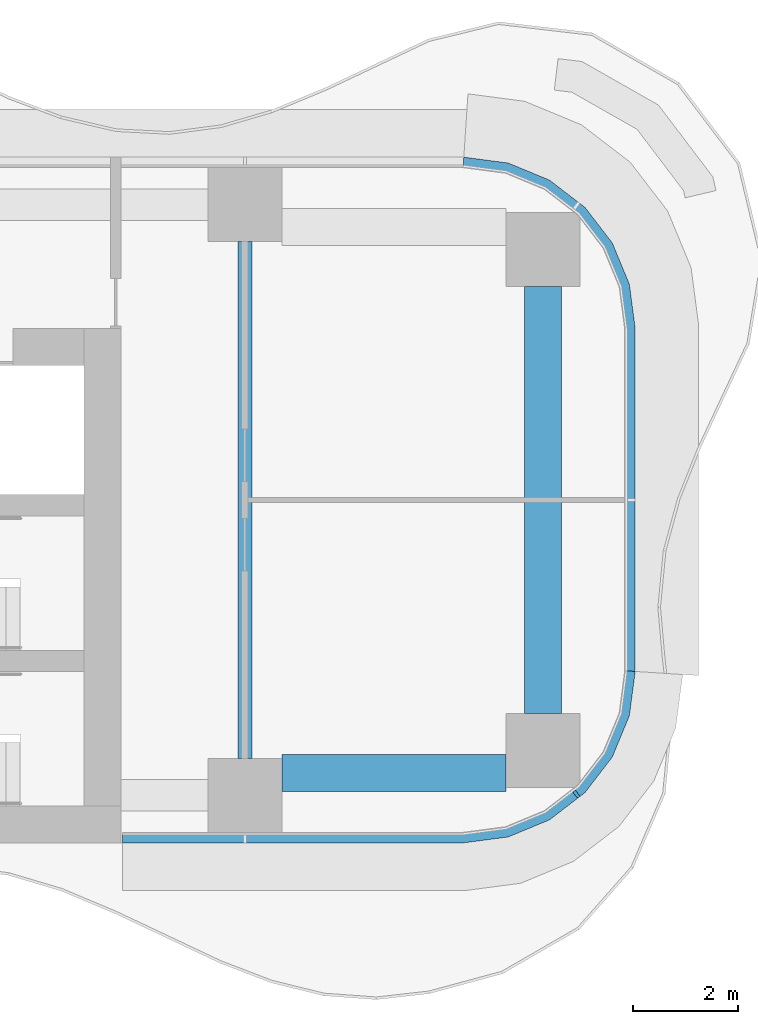
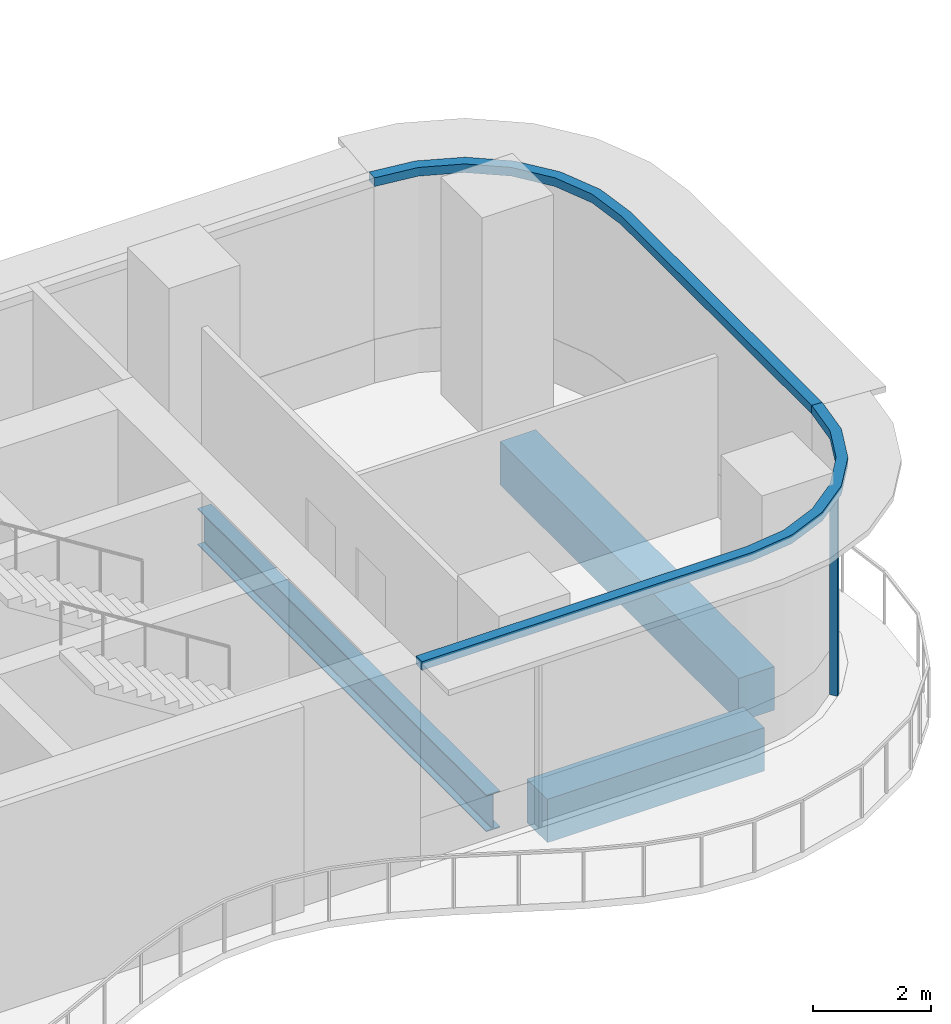
# One storey, part 7 of 22: 3 beams, 3 members, 2 elements without a shape of their own.
"""IFC4 building model written with IfcOpenShell, lengths in metres."""

from ifc_helpers import new_model, si_unit, direction, frame, origin, origin_2d, place, context, subcontext, project, spatial, polyline, rectangle, i_section, outline, extrude, source, transform, mapped, material, layer, layer_set, material_profile, profile_set, type_object, element, aggregate, save


model = new_model("IFC4")

# Units and contexts
model_context = context("Model", 3, precision=1e-05, world=origin(), true_north=direction((0.0, 1.0)))
body_context = subcontext(model_context, "Body", "Model", "MODEL_VIEW")
ifc_project = project(units=[si_unit("LENGTHUNIT", "METRE"), si_unit("AREAUNIT", "SQUARE_METRE"), si_unit("VOLUMEUNIT", "CUBIC_METRE"), si_unit("PLANEANGLEUNIT", "RADIAN"), si_unit("MASSUNIT", "GRAM", prefix="KILO")], contexts=[model_context])

# Site, building, storey
site_placement = place(None, origin())
site = spatial("IfcSite", under=ifc_project, at=site_placement, CompositionType="ELEMENT")
building_placement = place(site_placement, origin())
building = spatial("IfcBuilding", under=site, at=building_placement, Name="Trellis Farm Tower", CompositionType="ELEMENT")
storey_placement = place(building_placement, frame((0.0, 0.0, 65.5)))
storey = spatial("IfcBuildingStorey", under=building, at=storey_placement, Name="L13", CompositionType="ELEMENT", Elevation=65.5)

# Beams
ifc_material_1 = material(Name="Steel S355", Category="steel")
ifc_material_profile_1 = material_profile(ifc_material_1, i_section(OverallWidth=0.2666015625, OverallDepth=0.76220703125, WebThickness=0.014404296875, FlangeThickness=0.021484375, FilletRadius=0.0166015625, at=origin_2d()), Name="UB 762x267x173")
ifc_profile_set_1 = profile_set([ifc_material_profile_1], Name="Steel S355")
beam_type_1 = type_object("IfcBeamType", Name="UB 762x267x173", PredefinedType="BEAM", material=ifc_profile_set_1)
shared_shape_1 = source(origin(), body_context, "Body", "SweptSolid", [
    extrude(i_section(OverallWidth=0.2666015625, OverallDepth=0.76220703125, WebThickness=0.014404296875, FlangeThickness=0.021484375, FilletRadius=0.0166015625, at=origin_2d()), origin(), (0.0, 0.0, 1.0), 9.7998046875),
])
beam_1_placement = place(storey_placement, frame((25.10009765625, -4.89990234375, -0.631103515625), z_axis=(0.0, 1.0, 0.0), x_axis=(-1.0, 0.0, 0.0)))
element("IfcBeam", 1, at=beam_1_placement, inside=storey, type_object=beam_type_1, Name="Girder", PredefinedType="BEAM", context=body_context, shape_type="MappedRepresentation", body=[
    mapped(shared_shape_1, transform((0.0, 0.0, 0.0))),
])
ifc_material_2 = material(Name="Concrete C60/75", Category="concrete")
ifc_material_profile_2 = material_profile(ifc_material_2, rectangle(XDim=0.699951171875, YDim=0.89990234375, at=origin_2d()), Name="RC spandrel beam 700x900 C60/75")
ifc_profile_set_2 = profile_set([ifc_material_profile_2], Name="Concrete C60/75")
beam_type_2 = type_object("IfcBeamType", Name="RC spandrel beam 700x900 C60/75", PredefinedType="SPANDREL", material=ifc_profile_set_2)
shared_shape_2 = source(origin(), body_context, "Body", "SweptSolid", [
    extrude(rectangle(XDim=0.699951171875, YDim=0.89990234375, at=origin_2d()), origin(), (0.0, 0.0, 1.0), 4.25),
])
beam_2_placement = place(storey_placement, frame((25.800048828125, -5.175048828125, -0.699951171875), z_axis=(1.0, 0.0, 0.0), x_axis=(0.0, 1.0, 0.0)))
element("IfcBeam", 2, at=beam_2_placement, inside=storey, type_object=beam_type_2, Name="Girder", PredefinedType="SPANDREL", context=body_context, shape_type="MappedRepresentation", body=[
    mapped(shared_shape_2, transform((0.0, 0.0, 0.0))),
])
shared_shape_3 = source(origin(), body_context, "Body", "SweptSolid", [
    extrude(rectangle(XDim=0.699951171875, YDim=0.89990234375, at=origin_2d()), origin(), (0.0, 0.0, 1.0), 8.10009765625),
])
beam_3_placement = place(storey_placement, frame((30.75, -4.050048828125, -0.699951171875), z_axis=(0.0, 1.0, 0.0), x_axis=(-1.0, 0.0, 0.0)))
element("IfcBeam", 3, at=beam_3_placement, inside=storey, type_object=beam_type_2, Name="Girder", PredefinedType="SPANDREL", context=body_context, shape_type="MappedRepresentation", body=[
    mapped(shared_shape_3, transform((0.0, 0.0, 0.0))),
])

# Curtain wall, members
ifc_material_3 = material(Name="Aluminium and glass curtain wall", Category="aluminium")
ifc_layer_1 = layer(ifc_material_3, 0.18994140625)
ifc_layer_set_1 = layer_set([ifc_layer_1], Name="RIBBON CURTAIN WALL CW1")
curtain_wall_type = type_object("IfcCurtainWallType", Name="RIBBON CURTAIN WALL CW1", PredefinedType="NOTDEFINED", material=ifc_layer_set_1)
placement_1 = place(storey_placement, origin())
curtain_wall_1 = element("IfcCurtainWall", 4, at=placement_1, inside=storey, type_object=curtain_wall_type, Name="CW1 006", PredefinedType="NOTDEFINED")
ifc_material_4 = material(Name="Aluminium extrusion 6063-T6", Category="aluminium")
ifc_material_profile_3 = material_profile(ifc_material_4, rectangle(XDim=0.06005859375, YDim=0.14990234375, at=origin_2d()), Name="MULLION 60x150")
ifc_profile_set_3 = profile_set([ifc_material_profile_3], Name="Aluminium extrusion 6063-T6")
member_type_1 = type_object("IfcMemberType", Name="CW1 MULLION 60x150", PredefinedType="MULLION", material=ifc_profile_set_3)
shared_shape_4 = source(origin(), body_context, "Body", "SweptSolid", [
    extrude(rectangle(XDim=0.06005859375, YDim=0.14990234375, at=origin_2d()), origin(), (0.0, 0.0, 1.0), 4.070068359375),
])
member_1_placement = place(storey_placement, frame((31.385498046875, -5.578369140625, 0.0), z_axis=(0.0, 0.0, 1.0), x_axis=(0.793353340291, 0.608761429009, 0.0)))
member_1 = element("IfcMember", 5, at=member_1_placement, type_object=member_type_1, Name="MU1 006-02", PredefinedType="MULLION", context=body_context, shape_type="MappedRepresentation", body=[
    mapped(shared_shape_4, transform((0.0, 0.0, 0.0))),
])
ifc_layer_2 = layer(ifc_material_4, 0.199951171875)
ifc_layer_set_2 = layer_set([ifc_layer_2], Name="Aluminium extrusion 6063-T6")
member_type_2 = type_object("IfcMemberType", Name="CW1 TRANSOM 200x180", PredefinedType="USERDEFINED", material=ifc_layer_set_2)
shared_shape_5 = source(origin(), body_context, "Body", "SweptSolid", [
    extrude(outline(polyline([(22.780029296875, -6.5), (29.25, -6.5), (30.091064453125, -6.38916015625), (30.875, -6.064697265625), (31.548095703125, -5.548095703125), (32.064697265625, -4.875), (32.38916015625, -4.091064453125), (32.5, -3.25), (32.300048828125, -3.23681640625), (32.1943359375, -4.0390625), (31.889892578125, -4.774169921875), (31.405517578125, -5.405517578125), (30.774169921875, -5.889892578125), (30.0390625, -6.1943359375), (29.23681640625, -6.300048828125), (22.780029296875, -6.300048828125), (22.780029296875, -6.5)])), origin(), (0.0, 0.0, 1.0), 0.179931640625),
])
placement_2 = place(storey_placement, frame((0.0, 0.0, 4.070068359375)))
member_2 = element("IfcMember", 6, at=placement_2, type_object=member_type_2, Name="TR1 006", ObjectType="TRANSOM", PredefinedType="USERDEFINED", context=body_context, shape_type="MappedRepresentation", body=[
    mapped(shared_shape_5, transform((0.0, 0.0, 0.0))),
])
aggregate(curtain_wall_1, [member_1, member_2])

# Curtain wall, member
curtain_wall_2 = element("IfcCurtainWall", 7, at=placement_1, inside=storey, type_object=curtain_wall_type, Name="CW1 007", PredefinedType="NOTDEFINED")
shared_shape_6 = source(origin(), body_context, "Body", "SweptSolid", [
    extrude(outline(polyline([(32.5, -3.25), (32.5, 3.25), (32.38916015625, 4.091064453125), (32.064697265625, 4.875), (31.548095703125, 5.548095703125), (30.875, 6.064697265625), (30.091064453125, 6.38916015625), (29.25, 6.5), (29.23681640625, 6.300048828125), (30.0390625, 6.1943359375), (30.774169921875, 5.889892578125), (31.405517578125, 5.405517578125), (31.889892578125, 4.774169921875), (32.1943359375, 4.0390625), (32.300048828125, 3.23681640625), (32.300048828125, -3.23681640625), (32.5, -3.25)])), origin(), (0.0, 0.0, 1.0), 0.179931640625),
])
member_3 = element("IfcMember", 8, at=placement_2, type_object=member_type_2, Name="TR1 007", ObjectType="TRANSOM", PredefinedType="USERDEFINED", context=body_context, shape_type="MappedRepresentation", body=[
    mapped(shared_shape_6, transform((0.0, 0.0, 0.0))),
])
aggregate(curtain_wall_2, [member_3])

save(model, "model.ifc")
